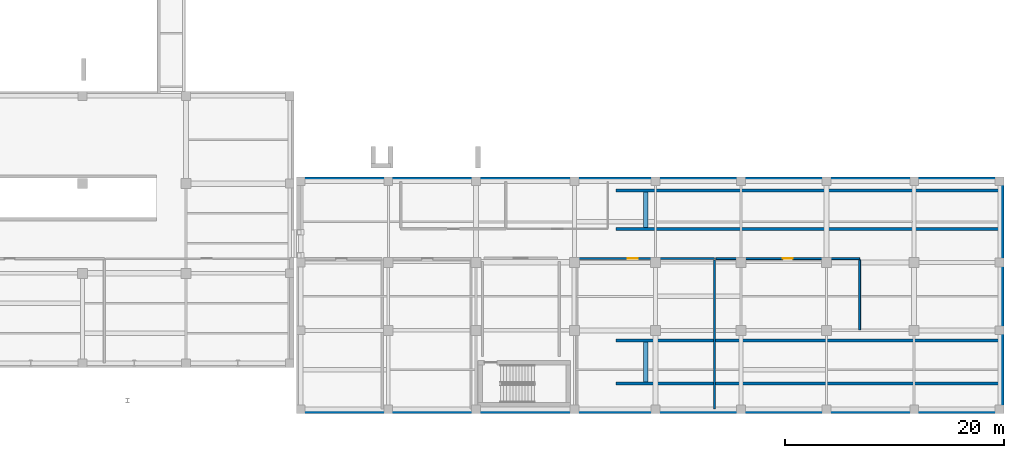
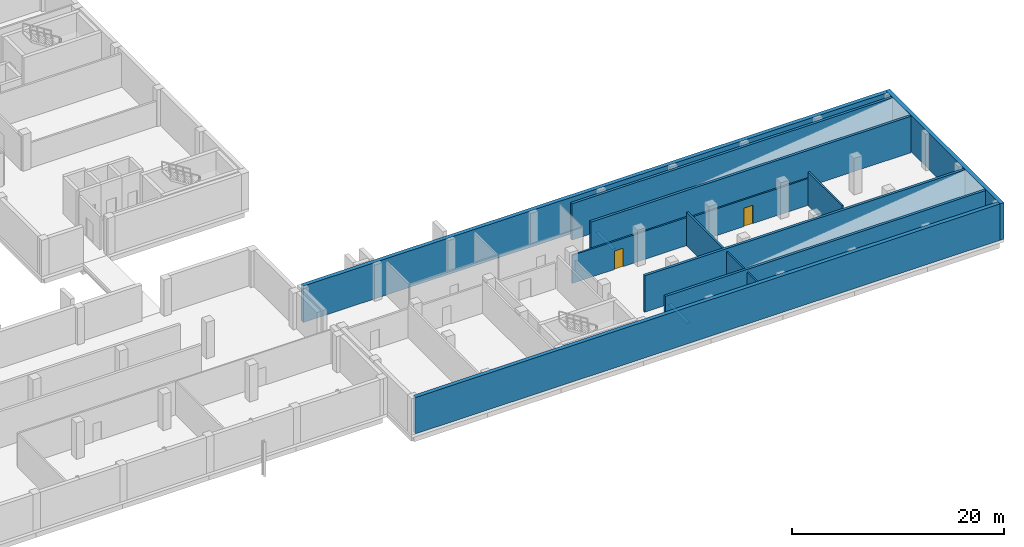
# One storey, part 23 of 31: 13 walls, 2 doors, 2 openings.
"""IFC4 building model written with IfcOpenShell, lengths in metres."""

from ifc_helpers import new_model, si_unit, direction, frame, frame_2d, origin, place, context, subcontext, project, spatial, rectangle, extrude, material, layer, layer_set, type_object, element, fill, save


model = new_model("IFC4")

# Units and contexts
model_context = context("Model", 3, precision=1e-05, world=origin(), true_north=direction((0.0, 1.0)))
body_context = subcontext(model_context, "Body", "Model", "MODEL_VIEW")
ifc_project = project(units=[si_unit("LENGTHUNIT", "METRE"), si_unit("AREAUNIT", "SQUARE_METRE"), si_unit("VOLUMEUNIT", "CUBIC_METRE"), si_unit("PLANEANGLEUNIT", "RADIAN"), si_unit("MASSUNIT", "GRAM", prefix="KILO")], contexts=[model_context])

# Site, building, storey
site_placement = place(None, origin())
site = spatial("IfcSite", under=ifc_project, at=site_placement, CompositionType="ELEMENT")
building_placement = place(site_placement, origin())
building = spatial("IfcBuilding", under=site, at=building_placement, Name="Qalavern Law Courts", CompositionType="ELEMENT")
storey_placement = place(building_placement, frame((0.0, 0.0, -4.199951171875)))
storey = spatial("IfcBuildingStorey", under=building, at=storey_placement, Name="B1", CompositionType="ELEMENT", Elevation=-4.199951171875)

# Walls
ifc_material_1 = material(Name="Concrete C40/50", Category="concrete")
ifc_layer_1 = layer(ifc_material_1, 0.39990234375)
ifc_layer_set_1 = layer_set([ifc_layer_1], Name="Concrete C40/50")
wall_type_1 = type_object("IfcWallType", Name="ENV-EW-400", PredefinedType="SOLIDWALL", material=ifc_layer_set_1)
wall_1_placement = place(storey_placement, frame((133.300048828125, 17.97998046875, 0.0), z_axis=(0.0, 0.0, 1.0), x_axis=(0.0, 1.0, 0.0)))
element("IfcWall", 1, at=wall_1_placement, inside=storey, type_object=wall_type_1, Name="Car Park Vehicle Ramp VG-01 Upper lower bearing sill", PredefinedType="SOLIDWALL", context=body_context, shape_type="SweptSolid", body=[
    extrude(rectangle(XDim=3.239990234375, YDim=0.39990234375, at=frame_2d((1.6201171875, 0.0))), origin(), (0.0, 0.0, 1.0), 0.02001953125),
])
wall_2_placement = place(storey_placement, frame((133.300048828125, 3.8798828125, 0.0), z_axis=(0.0, 0.0, 1.0), x_axis=(0.0, 1.0, 0.0)))
element("IfcWall", 2, at=wall_2_placement, inside=storey, type_object=wall_type_1, Name="Secure Sallyport Vehicle Ramp VG-02 lower bearing sill", PredefinedType="SOLIDWALL", context=body_context, shape_type="SweptSolid", body=[
    extrude(rectangle(XDim=3.64013671875, YDim=0.39990234375, at=frame_2d((1.820068359375, 0.0))), origin(), (0.0, 0.0, 1.0), 0.02001953125),
])
ifc_material_2 = material(Name="Concrete C35/45", Category="concrete")
ifc_layer_2 = layer(ifc_material_2, 0.429931640625)
ifc_layer_set_2 = layer_set([ifc_layer_2], Name="Concrete C35/45")
wall_type_2 = type_object("IfcWallType", Name="ENV-EW-RET430", PredefinedType="SOLIDWALL", material=ifc_layer_set_2)
wall_3_placement = place(storey_placement, frame((101.844970703125, 1.215087890625, 0.0), z_axis=(0.0, 0.0, 1.0), x_axis=(1.0, 0.0, 0.0)))
element("IfcWall", 3, at=wall_3_placement, inside=storey, type_object=wall_type_2, Name="V6 basement retaining wall B1 south", PredefinedType="SOLIDWALL", context=body_context, shape_type="SweptSolid", body=[
    extrude(rectangle(XDim=63.72998046875, YDim=0.429931640625, at=frame_2d((31.864990234375, 0.0))), origin(), (0.0, 0.0, 1.0), 4.199951171875),
])
wall_4_placement = place(storey_placement, frame((165.784912109375, 1.0, 0.0), z_axis=(0.0, 0.0, 1.0), x_axis=(0.0, 1.0, 0.0)))
element("IfcWall", 4, at=wall_4_placement, inside=storey, type_object=wall_type_2, Name="V6 basement retaining wall B1 east", PredefinedType="SOLIDWALL", context=body_context, shape_type="SweptSolid", body=[
    extrude(rectangle(XDim=21.60009765625, YDim=0.429931640625, at=frame_2d((10.800048828125, 0.0))), origin(), (0.0, 0.0, 1.0), 4.199951171875),
])
wall_5_placement = place(storey_placement, frame((165.574951171875, 22.385009765625, 0.0), z_axis=(0.0, 0.0, 1.0), x_axis=(-1.0, 0.0, 0.0)))
element("IfcWall", 5, at=wall_5_placement, inside=storey, type_object=wall_type_2, Name="V6 basement retaining wall B1 north", PredefinedType="SOLIDWALL", context=body_context, shape_type="SweptSolid", body=[
    extrude(rectangle(XDim=63.72998046875, YDim=0.429931640625, at=frame_2d((31.864990234375, 0.0))), origin(), (0.0, 0.0, 1.0), 4.199951171875),
])

# Wall, opening, door
ifc_material_3 = material(Name="Gypsum acoustic stud partition")
ifc_layer_3 = layer(ifc_material_3, 0.174072265625)
ifc_layer_set_3 = layer_set([ifc_layer_3], Name="Gypsum acoustic stud partition")
wall_type_3 = type_object("IfcWallType", Name="INT-PW-174", PredefinedType="PARTITIONING", material=ifc_layer_set_3)
wall_6_placement = place(storey_placement, frame((139.705078125, 15.139892578125, 0.0), z_axis=(0.0, 0.0, 1.0), x_axis=(1.0, 0.0, 0.0)))
wall_6 = element("IfcWall", 6, at=wall_6_placement, inside=storey, type_object=wall_type_3, Name="Custody Reception and Holding Cell corridor partition B1", PredefinedType="PARTITIONING", context=body_context, shape_type="SweptSolid", body=[
    extrude(rectangle(XDim=13.11181640625, YDim=0.174072265625, at=frame_2d((6.555908203125, 0.0))), origin(), (0.0, 0.0, 1.0), 3.08984375),
])
opening_1_placement = place(wall_6_placement, frame((6.0810546875, 0.0, 0.0)))
opening_1 = element("IfcOpeningElement", 7, at=opening_1_placement, cuts=wall_6, Name="Opening B1-D406", PredefinedType="OPENING", context=body_context, shape_type="SweptSolid", body=[
    extrude(rectangle(XDim=0.949951171875, YDim=2.1201171875, at=frame_2d((0.47509765625, 1.06005859375))), frame((0.0, 0.10205078125, 0.0), z_axis=(0.0, -1.0, 0.0), x_axis=(1.0, 0.0, 0.0)), (0.0, 0.0, 1.0), 0.203857421875),
])
ifc_material_4 = material(Name="Heavy steel Custody Holding Cell door", Category="steel")
door_type = type_object("IfcDoorType", Name="INT-ID-950x2120", OperationType="NOTDEFINED", PredefinedType="DOOR", material=ifc_material_4)
door_1_placement = place(opening_1_placement, frame((0.949951171875, 0.0, 0.0), z_axis=(0.0, 0.0, 1.0), x_axis=(-1.0, 0.0, 0.0)))
door_1 = element("IfcDoor", 8, at=door_1_placement, inside=storey, type_object=door_type, Name="Custody Reception and Holding Cell door B1", OperationType="SINGLE_SWING_LEFT", OverallHeight=2.1201171875, OverallWidth=0.949951171875, PredefinedType="DOOR", context=body_context, shape_type="SweptSolid", body=[
    extrude(rectangle(XDim=0.949951171875, YDim=2.1201171875, at=frame_2d((0.47509765625, 1.06005859375))), frame((0.0, 0.02490234375, 0.0), z_axis=(0.0, -1.0, 0.0), x_axis=(1.0, 0.0, 0.0)), (0.0, 0.0, 1.0), 0.050048828125),
])
fill(opening_1, door_1)

# Wall
wall_7_placement = place(storey_placement, frame((152.81689453125, 8.64990234375, 0.0), z_axis=(0.0, 0.0, 1.0), x_axis=(0.0, 1.0, 0.0)))
element("IfcWall", 9, at=wall_7_placement, inside=storey, type_object=wall_type_3, Name="Custody Reception and Holding Cell cross partition B1 east", PredefinedType="PARTITIONING", context=body_context, shape_type="SweptSolid", body=[
    extrude(rectangle(XDim=6.383056640625, YDim=0.174072265625, at=frame_2d((3.19140625, 0.0))), origin(), (0.0, 0.0, 1.0), 3.85986328125),
])

# Wall, opening, door
ifc_layer_4 = layer(ifc_material_3, 0.18603515625)
ifc_layer_set_4 = layer_set([ifc_layer_4], Name="Gypsum acoustic stud partition")
wall_type_4 = type_object("IfcWallType", Name="INT-PW-186", PredefinedType="PARTITIONING", material=ifc_layer_set_4)
wall_8_placement = place(storey_placement, frame((127.0400390625, 15.139892578125, 0.0), z_axis=(0.0, 0.0, 1.0), x_axis=(1.0, 0.0, 0.0)))
wall_8 = element("IfcWall", 10, at=wall_8_placement, inside=storey, type_object=wall_type_4, Name="Secure Sallyport Dock corridor partition B1", PredefinedType="PARTITIONING", context=body_context, shape_type="SweptSolid", body=[
    extrude(rectangle(XDim=12.544921875, YDim=0.18603515625, at=frame_2d((6.2724609375, 0.0))), origin(), (0.0, 0.0, 1.0), 3.239990234375),
])
opening_2_placement = place(wall_8_placement, frame((4.597412109375, 0.0, 0.0)))
opening_2 = element("IfcOpeningElement", 11, at=opening_2_placement, cuts=wall_8, Name="Opening B1-D405", PredefinedType="OPENING", context=body_context, shape_type="SweptSolid", body=[
    extrude(rectangle(XDim=0.949951171875, YDim=2.1201171875, at=frame_2d((0.47509765625, 1.06005859375))), frame((0.0, 0.10791015625, 0.0), z_axis=(0.0, -1.0, 0.0), x_axis=(1.0, 0.0, 0.0)), (0.0, 0.0, 1.0), 0.2158203125),
])
door_2_placement = place(opening_2_placement, frame((0.949951171875, 0.0, 0.0), z_axis=(0.0, 0.0, 1.0), x_axis=(-1.0, 0.0, 0.0)))
door_2 = element("IfcDoor", 12, at=door_2_placement, inside=storey, type_object=door_type, Name="Secure Sallyport Dock door B1", OperationType="SINGLE_SWING_RIGHT", OverallHeight=2.1201171875, OverallWidth=0.949951171875, PredefinedType="DOOR", context=body_context, shape_type="SweptSolid", body=[
    extrude(rectangle(XDim=0.949951171875, YDim=2.1201171875, at=frame_2d((0.47509765625, 1.06005859375))), frame((0.0, 0.02490234375, 0.0), z_axis=(0.0, -1.0, 0.0), x_axis=(1.0, 0.0, 0.0)), (0.0, 0.0, 1.0), 0.050048828125),
])
fill(opening_2, door_2)

# Walls
wall_9_placement = place(storey_placement, frame((139.5849609375, 1.43994140625, 0.0), z_axis=(0.0, 0.0, 1.0), x_axis=(0.0, 1.0, 0.0)))
element("IfcWall", 13, at=wall_9_placement, inside=storey, type_object=wall_type_4, Name="Secure Sallyport Dock cross partition B1 east", PredefinedType="PARTITIONING", context=body_context, shape_type="SweptSolid", body=[
    extrude(rectangle(XDim=13.587158203125, YDim=0.18603515625, at=frame_2d((6.79345703125, 0.0))), origin(), (0.0, 0.0, 1.0), 3.85986328125),
])
ifc_layer_5 = layer(ifc_material_1, 0.280029296875)
ifc_layer_set_5 = layer_set([ifc_layer_5], Name="Concrete C40/50")
wall_type_5 = type_object("IfcWallType", Name="INT-RMP-280", PredefinedType="SOLIDWALL", material=ifc_layer_set_5)
for number, where, z_axis, x_axis, name in (
    (14, (130.60009765625, 17.840087890625, 0.0), (0.0, 0.0, 1.0), (1.0, 0.0, 0.0), "Car Park Vehicle Ramp VG-01 Upper enclosure wall B1-1"),
    (15, (130.60009765625, 21.360107421875, 0.0), (0.0, 0.0, 1.0), (1.0, 0.0, 0.0), "Car Park Vehicle Ramp VG-01 Upper enclosure wall B1-2"),
    (16, (130.60009765625, 3.739990234375, 0.0), (0.0, 0.0, 1.0), (1.0, 0.0, 0.0), "Secure Sallyport Vehicle Ramp VG-02 enclosure wall B1-1"),
    (17, (130.60009765625, 7.659912109375, 0.0), (0.0, 0.0, 1.0), (1.0, 0.0, 0.0), "Secure Sallyport Vehicle Ramp VG-02 enclosure wall B1-2"),
):
    element("IfcWall", number, at=place(storey_placement, frame(where, z_axis=z_axis, x_axis=x_axis)), inside=storey, type_object=wall_type_5, Name=name, PredefinedType="SOLIDWALL", context=body_context, shape_type="SweptSolid", body=[
        extrude(rectangle(XDim=34.89990234375, YDim=0.280029296875, at=frame_2d((17.449951171875, 0.0))), origin(), (0.0, 0.0, 1.0), 4.199951171875),
    ])

save(model, "model.ifc")
